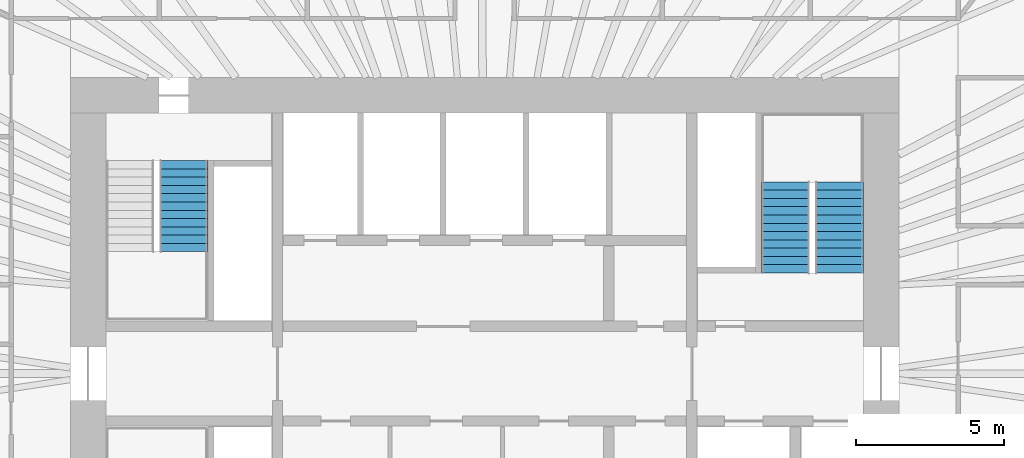
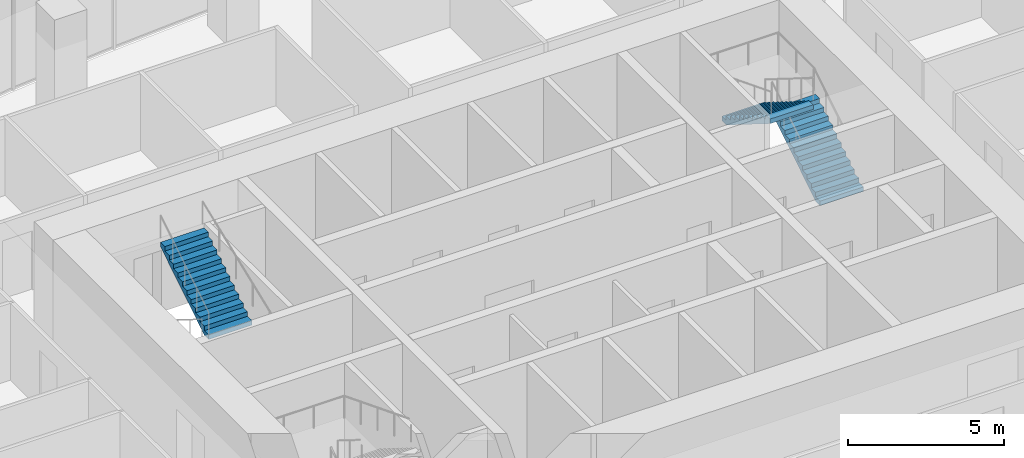
# One storey, part 11 of 12: 3 stair flights, 2 elements without a shape of their own.
"""IFC4 building model written with IfcOpenShell, lengths in metres."""

from ifc_helpers import new_model, si_unit, direction, frame, origin, place, context, subcontext, project, spatial, polyline, outline, extrude, material, type_object, element, aggregate, save


model = new_model("IFC4")

# Units and contexts
model_context = context("Model", 3, precision=1e-05, world=origin(), true_north=direction((0.0, 1.0)))
body_context = subcontext(model_context, "Body", "Model", "MODEL_VIEW")
ifc_project = project(units=[si_unit("LENGTHUNIT", "METRE"), si_unit("AREAUNIT", "SQUARE_METRE"), si_unit("VOLUMEUNIT", "CUBIC_METRE"), si_unit("PLANEANGLEUNIT", "RADIAN"), si_unit("MASSUNIT", "GRAM", prefix="KILO")], contexts=[model_context])

# Site, building, storey
site_placement = place(None, origin())
site = spatial("IfcSite", under=ifc_project, at=site_placement, CompositionType="ELEMENT")
building_placement = place(site_placement, origin())
building = spatial("IfcBuilding", under=site, at=building_placement, Name="Ghaith Harvest Tower", CompositionType="ELEMENT")
storey_placement = place(building_placement, frame((0.0, 0.0, 249.39990234375)))
storey = spatial("IfcBuildingStorey", under=building, at=storey_placement, Name="L55", CompositionType="ELEMENT", Elevation=249.39990234375)

# Stair, stair flight
ifc_material_1 = material(Name="Concrete C40/50, precast", Category="concrete")
stair_type = type_object("IfcStairType", Name="CORE STAIR 24R", PredefinedType="HALF_TURN_STAIR", material=ifc_material_1)
stair_1_placement = place(storey_placement, origin())
stair_1 = element("IfcStair", 1, at=stair_1_placement, inside=storey, type_object=stair_type, Name="Stair ST1 L55", PredefinedType="HALF_TURN_STAIR")
ifc_material_2 = material(Name="Concrete C40/50, precast", Category="concrete")
stair_flight_type = type_object("IfcStairFlightType", Name="CORE FLIGHT 12R 1600", PredefinedType="STRAIGHT", material=ifc_material_2)
stair_flight_1_placement = place(storey_placement, frame((-10.14990234375, 4.1201171875, 2.10009765625), z_axis=(0.0, 0.0, 1.0), x_axis=(0.0, 1.0, 0.0)))
stair_flight_1 = element("IfcStairFlight", 2, at=stair_flight_1_placement, type_object=stair_flight_type, Name="ST1 flight 2", NumberOfRisers=12, NumberOfTreads=11, PredefinedType="STRAIGHT", RiserHeight=0.175, TreadLength=0.28, context=body_context, shape_type="SweptSolid", body=[
    extrude(outline(polyline([(0.0, 0.0), (0.0, 0.175048828125), (0.280029296875, 0.175048828125), (0.280029296875, 0.35009765625), (0.56005859375, 0.35009765625), (0.56005859375, 0.52490234375), (0.840087890625, 0.52490234375), (0.840087890625, 0.699951171875), (1.1201171875, 0.699951171875), (1.1201171875, 0.875), (1.39990234375, 0.875), (1.39990234375, 1.050048828125), (1.679931640625, 1.050048828125), (1.679931640625, 1.22509765625), (1.9599609375, 1.22509765625), (1.9599609375, 1.39990234375), (2.239990234375, 1.39990234375), (2.239990234375, 1.574951171875), (2.52001953125, 1.574951171875), (2.52001953125, 1.75), (2.800048828125, 1.75), (2.800048828125, 1.925048828125), (3.080078125, 1.925048828125), (3.080078125, 2.10009765625), (3.080078125, 1.748291015625), (0.28271484375, 0.0), (0.0, 0.0)])), frame((0.0, 0.800048828125, 0.0), z_axis=(0.0, -1.0, 0.0), x_axis=(1.0, 0.0, 0.0)), (0.0, 0.0, 1.0), 1.60009765625),
])
aggregate(stair_1, [stair_flight_1])

# Stair, stair flights
stair_2_placement = place(storey_placement, origin())
stair_2 = element("IfcStair", 3, at=stair_2_placement, inside=storey, type_object=stair_type, Name="Stair ST2 L55", PredefinedType="HALF_TURN_STAIR")
stair_flight_2_placement = place(storey_placement, frame((12.0, 3.39990234375, 0.0), z_axis=(0.0, 0.0, 1.0), x_axis=(0.0, 1.0, 0.0)))
stair_flight_2 = element("IfcStairFlight", 4, at=stair_flight_2_placement, type_object=stair_flight_type, Name="ST2 flight 1", NumberOfRisers=12, NumberOfTreads=11, PredefinedType="STRAIGHT", RiserHeight=0.175, TreadLength=0.28, context=body_context, shape_type="SweptSolid", body=[
    extrude(outline(polyline([(0.0, 0.0), (0.0, 0.175048828125), (0.280029296875, 0.175048828125), (0.280029296875, 0.35009765625), (0.56005859375, 0.35009765625), (0.56005859375, 0.52490234375), (0.840087890625, 0.52490234375), (0.840087890625, 0.699951171875), (1.1201171875, 0.699951171875), (1.1201171875, 0.875), (1.39990234375, 0.875), (1.39990234375, 1.050048828125), (1.679931640625, 1.050048828125), (1.679931640625, 1.22509765625), (1.9599609375, 1.22509765625), (1.9599609375, 1.39990234375), (2.239990234375, 1.39990234375), (2.239990234375, 1.574951171875), (2.52001953125, 1.574951171875), (2.52001953125, 1.75), (2.800048828125, 1.75), (2.800048828125, 1.925048828125), (3.080078125, 1.925048828125), (3.080078125, 2.10009765625), (3.080078125, 1.748291015625), (0.28271484375, 0.0), (0.0, 0.0)])), frame((0.0, 0.800048828125, 0.0), z_axis=(0.0, -1.0, 0.0), x_axis=(1.0, 0.0, 0.0)), (0.0, 0.0, 1.0), 1.60009765625),
])
stair_flight_3_placement = place(storey_placement, frame((10.14990234375, 6.47998046875, 2.10009765625), z_axis=(0.0, 0.0, 1.0), x_axis=(0.0, -1.0, 0.0)))
stair_flight_3 = element("IfcStairFlight", 5, at=stair_flight_3_placement, type_object=stair_flight_type, Name="ST2 flight 2", NumberOfRisers=12, NumberOfTreads=11, PredefinedType="STRAIGHT", RiserHeight=0.175, TreadLength=0.28, context=body_context, shape_type="SweptSolid", body=[
    extrude(outline(polyline([(0.0, 0.0), (0.0, 0.175048828125), (0.280029296875, 0.175048828125), (0.280029296875, 0.35009765625), (0.56005859375, 0.35009765625), (0.56005859375, 0.52490234375), (0.840087890625, 0.52490234375), (0.840087890625, 0.699951171875), (1.1201171875, 0.699951171875), (1.1201171875, 0.875), (1.39990234375, 0.875), (1.39990234375, 1.050048828125), (1.679931640625, 1.050048828125), (1.679931640625, 1.22509765625), (1.9599609375, 1.22509765625), (1.9599609375, 1.39990234375), (2.239990234375, 1.39990234375), (2.239990234375, 1.574951171875), (2.52001953125, 1.574951171875), (2.52001953125, 1.75), (2.800048828125, 1.75), (2.800048828125, 1.925048828125), (3.080078125, 1.925048828125), (3.080078125, 2.10009765625), (3.080078125, 1.748291015625), (0.28271484375, 0.0), (0.0, 0.0)])), frame((0.0, 0.800048828125, 0.0), z_axis=(0.0, -1.0, 0.0), x_axis=(1.0, 0.0, 0.0)), (0.0, 0.0, 1.0), 1.60009765625),
])
aggregate(stair_2, [stair_flight_2, stair_flight_3])

save(model, "model.ifc")
